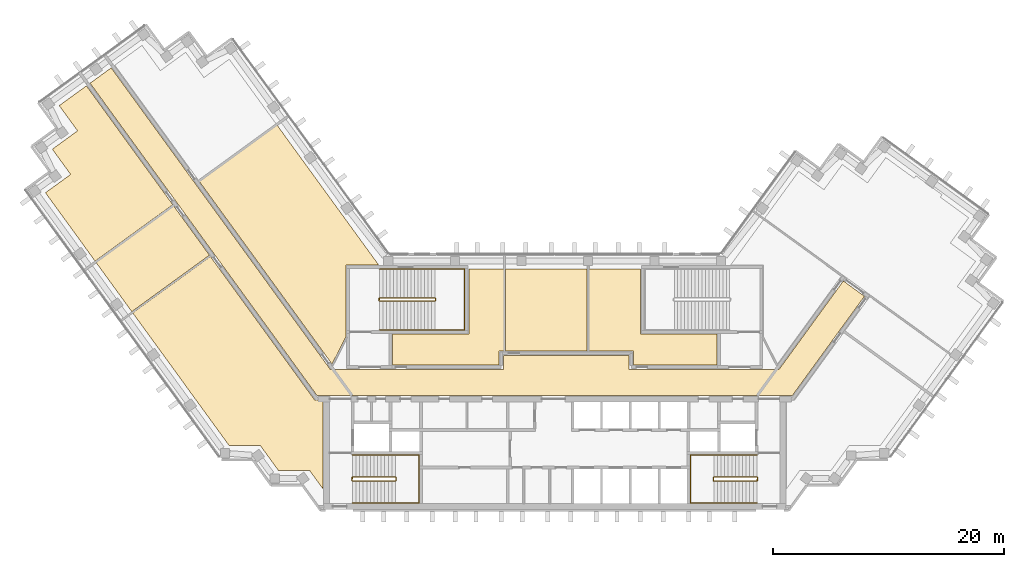
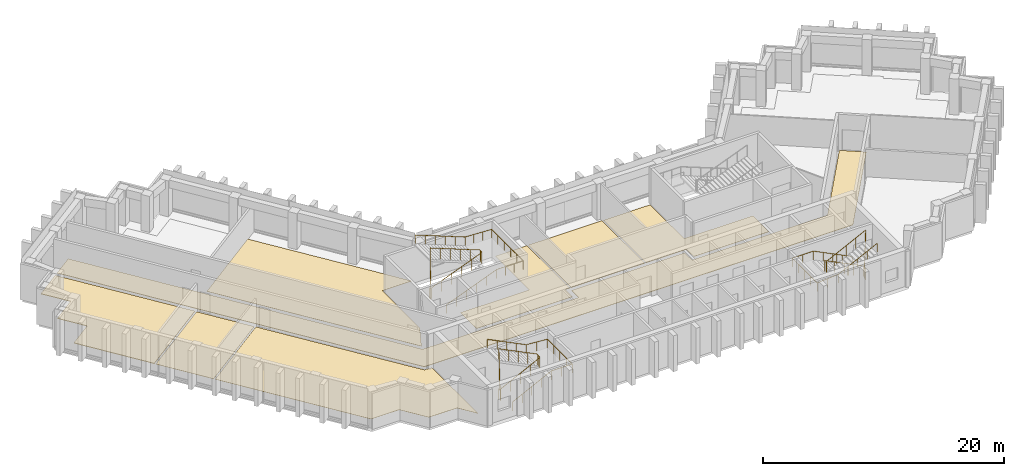
# One storey, part 8 of 9: 8 coverings, 6 railings.
"""IFC4 building model written with IfcOpenShell, lengths in metres."""

from ifc_helpers import new_model, si_unit, direction, frame, origin, origin_2d, place, context, subcontext, project, spatial, polyline, circle, outline, extrude, material, layer, layer_set, type_object, element, save


model = new_model("IFC4")

# Units and contexts
model_context = context("Model", 3, precision=1e-05, world=origin(), true_north=direction((0.0, 1.0)))
body_context = subcontext(model_context, "Body", "Model", "MODEL_VIEW")
ifc_project = project(units=[si_unit("LENGTHUNIT", "METRE"), si_unit("AREAUNIT", "SQUARE_METRE"), si_unit("VOLUMEUNIT", "CUBIC_METRE"), si_unit("PLANEANGLEUNIT", "RADIAN"), si_unit("MASSUNIT", "GRAM", prefix="KILO")], contexts=[model_context])

# Site, building, storey
site_placement = place(None, origin())
site = spatial("IfcSite", under=ifc_project, at=site_placement, CompositionType="ELEMENT")
building_placement = place(site_placement, origin())
building = spatial("IfcBuilding", under=site, at=building_placement, Name="Quipu Civic Tower", CompositionType="ELEMENT")
storey_placement = place(building_placement, frame((0.0, 0.0, 230.0)))
storey = spatial("IfcBuildingStorey", under=building, at=storey_placement, Name="L54", CompositionType="ELEMENT", Elevation=230.0)

# Coverings
ifc_material_1 = material(Name="Carpet tile on raised access floor")
ifc_layer_1 = layer(ifc_material_1, 0.02001953125)
ifc_layer_set_1 = layer_set([ifc_layer_1], Name="Carpet tile on raised access floor")
covering_type_1 = type_object("IfcCoveringType", Name="Carpet tile floor finish 20", PredefinedType="FLOORING", material=ifc_layer_set_1)
covering_1_placement = place(storey_placement, origin())
element("IfcCovering", 1, at=covering_1_placement, inside=storey, type_object=covering_type_1, Name="Carpet tile floor finish 20", PredefinedType="FLOORING", context=body_context, shape_type="SweptSolid", body=[
    extrude(outline(polyline([(-36.52001953125, 6.013916015625), (-29.7958984375, 10.89794921875), (-20.77490234375, -1.51904296875), (-20.070068359375, -1.52001953125), (-20.070068359375, -9.195068359375), (-21.196044921875, -7.64599609375), (-23.89501953125, -7.64599609375), (-25.48193359375, -5.4619140625), (-28.181884765625, -5.4609375), (-36.52001953125, 6.013916015625)])), origin(), (0.0, 0.0, 1.0), 0.02001953125),
])
covering_2_placement = place(storey_placement, origin())
element("IfcCovering", 2, at=covering_2_placement, inside=storey, type_object=covering_type_1, Name="Carpet tile floor finish 20", PredefinedType="FLOORING", context=body_context, shape_type="SweptSolid", body=[
    extrude(outline(polyline([(-14.030029296875, 1.52001953125), (-14.030029296875, 4.179931640625), (-7.430908203125, 4.179931640625), (-7.429931640625, 9.830078125), (-4.388916015625, 9.830078125), (-4.388916015625, 2.719970703125), (-4.820068359375, 2.718994140625), (-4.820068359375, 1.52001953125), (-14.030029296875, 1.52001953125)])), origin(), (0.0, 0.0, 1.0), 0.02001953125),
])
covering_3_placement = place(storey_placement, origin())
element("IfcCovering", 3, at=covering_3_placement, inside=storey, type_object=covering_type_1, Name="Carpet tile floor finish 20", PredefinedType="FLOORING", context=body_context, shape_type="SweptSolid", body=[
    extrude(outline(polyline([(2.948974609375, 2.719970703125), (2.948974609375, 9.830078125), (7.429931640625, 9.830078125), (7.430908203125, 4.179931640625), (14.030029296875, 4.179931640625), (14.030029296875, 1.52001953125), (6.820068359375, 1.52001953125), (6.819091796875, 2.719970703125), (2.948974609375, 2.719970703125)])), origin(), (0.0, 0.0, 1.0), 0.02001953125),
])
covering_4_placement = place(storey_placement, origin())
element("IfcCovering", 4, at=covering_4_placement, inside=storey, type_object=covering_type_1, Name="Carpet tile floor finish 20", PredefinedType="FLOORING", context=body_context, shape_type="SweptSolid", body=[
    extrude(outline(polyline([(-30.751953125, 17.385986328125), (-24.029052734375, 22.26904296875), (-15.238037109375, 10.169921875), (-18.070068359375, 10.1689453125), (-18.070068359375, 3.94189453125), (-19.27197265625, 1.583984375), (-30.751953125, 17.385986328125)])), origin(), (0.0, 0.0, 1.0), 0.02001953125),
])
covering_5_placement = place(storey_placement, origin())
element("IfcCovering", 5, at=covering_5_placement, inside=storey, type_object=covering_type_1, Name="Carpet tile floor finish 20", PredefinedType="FLOORING", context=body_context, shape_type="SweptSolid", body=[
    extrude(outline(polyline([(-39.694091796875, 10.383056640625), (-32.969970703125, 15.26708984375), (-29.87890625, 11.010986328125), (-36.60302734375, 6.126953125), (-39.694091796875, 10.383056640625)])), origin(), (0.0, 0.0, 1.0), 0.02001953125),
])
ifc_material_2 = material(Name="Ceramic floor tile")
ifc_layer_2 = layer(ifc_material_2, 0.030029296875)
ifc_layer_set_2 = layer_set([ifc_layer_2], Name="Ceramic floor tile")
covering_type_2 = type_object("IfcCoveringType", Name="Ceramic tile floor finish 30", PredefinedType="FLOORING", material=ifc_layer_set_2)
covering_6_placement = place(storey_placement, origin())
element("IfcCovering", 6, at=covering_6_placement, inside=storey, type_object=covering_type_2, Name="Ceramic tile floor finish 30", PredefinedType="FLOORING", context=body_context, shape_type="SweptSolid", body=[
    extrude(outline(polyline([(-4.2490234375, 2.719970703125), (-4.2490234375, 9.830078125), (2.80908203125, 9.830078125), (2.80908203125, 2.719970703125), (-4.2490234375, 2.719970703125)])), origin(), (0.0, 0.0, 1.0), 0.030029296875),
])
ifc_material_3 = material(Name="Sealed cement screed")
ifc_layer_3 = layer(ifc_material_3, 0.050048828125)
ifc_layer_set_3 = layer_set([ifc_layer_3], Name="Sealed cement screed")
covering_type_3 = type_object("IfcCoveringType", Name="Sealed screed floor finish 50", PredefinedType="FLOORING", material=ifc_layer_set_3)
covering_7_placement = place(storey_placement, origin())
element("IfcCovering", 7, at=covering_7_placement, inside=storey, type_object=covering_type_3, Name="Sealed screed floor finish 50", PredefinedType="FLOORING", context=body_context, shape_type="SweptSolid", body=[
    extrude(outline(polyline([(-44.074951171875, 16.4140625), (-41.89208984375, 17.9990234375), (-43.47802734375, 20.18505859375), (-41.294921875, 21.77197265625), (-42.881103515625, 23.9560546875), (-40.52587890625, 25.666015625), (-33.052978515625, 15.3798828125), (-39.777099609375, 10.49609375), (-44.074951171875, 16.4140625)])), origin(), (0.0, 0.0, 1.0), 0.050048828125),
])

# Railings
ifc_material_4 = material(Name="Stainless steel", Category="steel")
railing_type_1 = type_object("IfcRailingType", Name="Stair guard 1100", PredefinedType="GUARDRAIL", material=ifc_material_4)
railing_1_placement = place(storey_placement, frame((-17.5, -8.550048828125, 0.15380859375)))
element("IfcRailing", 8, at=railing_1_placement, inside=storey, type_object=railing_type_1, Name="Stair 1 guard", PredefinedType="GUARDRAIL", context=body_context, shape_type="SweptSolid", body=[
    extrude(circle(Radius=0.02392578125, at=origin_2d()), frame((0.0, 0.0, 1.076171875), z_axis=(0.895751851347, 0.0, 0.444554407028), x_axis=(0.0, 1.0, 0.0)), (0.0, 0.0, 1.0), 4.15283203125),
    extrude(circle(Radius=0.02392578125, at=origin_2d()), frame((3.719970703125, 0.0, 2.92236328125), z_axis=(0.707106781187, 0.707106781187, 0.0), x_axis=(-0.707106781187, 0.707106781187, 0.0)), (0.0, 0.0, 1.0), 0.07080078125),
    extrude(circle(Radius=0.02392578125, at=origin_2d()), frame((3.77001953125, 0.050048828125, 2.92236328125), z_axis=(0.0, 1.0, 0.0), x_axis=(-1.0, 0.0, 0.0)), (0.0, 0.0, 1.0), 0.25),
    extrude(circle(Radius=0.02392578125, at=origin_2d()), frame((3.77001953125, 0.300048828125, 2.92236328125), z_axis=(-0.295599637079, 0.295599637079, 0.908428152975), x_axis=(-0.707106781187, -0.707106781187, 0.0)), (0.0, 0.0, 1.0), 0.16943359375),
    extrude(circle(Radius=0.02392578125, at=origin_2d()), frame((3.719970703125, 0.35009765625, 3.076171875), z_axis=(-0.895751851347, 0.0, 0.444554407028), x_axis=(0.0, -1.0, 0.0)), (0.0, 0.0, 1.0), 4.15283203125),
    extrude(circle(Radius=0.02392578125, at=origin_2d()), frame((0.0, 0.35009765625, 4.92236328125), z_axis=(-0.012476181752, -0.074796231092, -0.997120789425), x_axis=(0.986372223864, -0.164529134168, 0.0)), (0.0, 0.0, 1.0), 4.011474609375),
    extrude(circle(Radius=0.02392578125, at=origin_2d()), frame((-0.050048828125, 0.050048828125, 0.92236328125), z_axis=(0.0, 1.0, 0.0), x_axis=(-1.0, 0.0, 0.0)), (0.0, 0.0, 1.0), 0.25),
    extrude(circle(Radius=0.02099609375, at=origin_2d()), origin(), (0.0, 0.0, 1.0), 1.052001953125),
    extrude(circle(Radius=0.02099609375, at=origin_2d()), frame((0.929931640625, 0.0, 0.46142578125)), (0.0, 0.0, 1.0), 1.052001953125),
    extrude(circle(Radius=0.02099609375, at=origin_2d()), frame((1.85986328125, 0.0, 0.923095703125)), (0.0, 0.0, 1.0), 1.052001953125),
    extrude(circle(Radius=0.02099609375, at=origin_2d()), frame((2.7900390625, 0.0, 1.384765625)), (0.0, 0.0, 1.0), 1.052001953125),
    extrude(circle(Radius=0.02099609375, at=origin_2d()), frame((3.719970703125, 0.0, 1.84619140625)), (0.0, 0.0, 1.0), 1.052001953125),
    extrude(circle(Radius=0.02099609375, at=origin_2d()), frame((3.77001953125, 0.050048828125, 1.84619140625)), (0.0, 0.0, 1.0), 1.052001953125),
    extrude(circle(Radius=0.02099609375, at=origin_2d()), frame((3.77001953125, 0.300048828125, 1.84619140625)), (0.0, 0.0, 1.0), 1.052001953125),
    extrude(circle(Radius=0.02099609375, at=origin_2d()), frame((3.719970703125, 0.35009765625, 2.0)), (0.0, 0.0, 1.0), 1.052001953125),
    extrude(circle(Radius=0.02099609375, at=origin_2d()), frame((2.7900390625, 0.35009765625, 2.46142578125)), (0.0, 0.0, 1.0), 1.052001953125),
    extrude(circle(Radius=0.02099609375, at=origin_2d()), frame((1.85986328125, 0.35009765625, 2.923095703125)), (0.0, 0.0, 1.0), 1.052001953125),
    extrude(circle(Radius=0.02099609375, at=origin_2d()), frame((0.929931640625, 0.35009765625, 3.384765625)), (0.0, 0.0, 1.0), 1.052001953125),
    extrude(circle(Radius=0.02099609375, at=origin_2d()), frame((0.0, 0.35009765625, 3.84619140625)), (0.0, 0.0, 1.0), 1.052001953125),
    extrude(circle(Radius=0.02099609375, at=origin_2d()), frame((-0.012451171875, 0.275146484375, 2.84619140625)), (0.0, 0.0, 1.0), 1.052001953125),
    extrude(circle(Radius=0.02099609375, at=origin_2d()), frame((-0.02490234375, 0.2001953125, 1.84619140625)), (0.0, 0.0, 1.0), 1.052001953125),
    extrude(circle(Radius=0.02099609375, at=origin_2d()), frame((-0.03759765625, 0.125, 0.84619140625)), (0.0, 0.0, 1.0), 1.052001953125),
    extrude(circle(Radius=0.02099609375, at=origin_2d()), frame((-0.050048828125, 0.050048828125, -0.15380859375)), (0.0, 0.0, 1.0), 1.052001953125),
    extrude(circle(Radius=0.02099609375, at=origin_2d()), frame((-0.050048828125, 0.300048828125, -0.15380859375)), (0.0, 0.0, 1.0), 1.052001953125),
])
railing_2_placement = place(storey_placement, frame((17.5, -8.199951171875, 0.15380859375)))
element("IfcRailing", 9, at=railing_2_placement, inside=storey, type_object=railing_type_1, Name="Stair 2 guard", PredefinedType="GUARDRAIL", context=body_context, shape_type="SweptSolid", body=[
    extrude(circle(Radius=0.02392578125, at=origin_2d()), frame((0.0, 0.0, 1.076171875), z_axis=(-0.895751851347, 0.0, 0.444554407028), x_axis=(0.0, -1.0, 0.0)), (0.0, 0.0, 1.0), 4.15283203125),
    extrude(circle(Radius=0.02392578125, at=origin_2d()), frame((-3.719970703125, 0.0, 2.92236328125), z_axis=(-0.707106781187, -0.707106781187, 0.0), x_axis=(0.707106781187, -0.707106781187, 0.0)), (0.0, 0.0, 1.0), 0.07080078125),
    extrude(circle(Radius=0.02392578125, at=origin_2d()), frame((-3.77001953125, -0.050048828125, 2.92236328125), z_axis=(0.0, -1.0, 0.0), x_axis=(1.0, 0.0, 0.0)), (0.0, 0.0, 1.0), 0.25),
    extrude(circle(Radius=0.02392578125, at=origin_2d()), frame((-3.77001953125, -0.300048828125, 2.92236328125), z_axis=(0.295599637079, -0.295599637079, 0.908428152975), x_axis=(0.707106781187, 0.707106781187, 0.0)), (0.0, 0.0, 1.0), 0.16943359375),
    extrude(circle(Radius=0.02392578125, at=origin_2d()), frame((-3.719970703125, -0.35009765625, 3.076171875), z_axis=(0.895751851347, 0.0, 0.444554407028), x_axis=(0.0, 1.0, 0.0)), (0.0, 0.0, 1.0), 4.15283203125),
    extrude(circle(Radius=0.02392578125, at=origin_2d()), frame((0.0, -0.35009765625, 4.92236328125), z_axis=(0.012476181752, 0.074796231092, -0.997120789425), x_axis=(-0.986372223864, 0.164529134168, 0.0)), (0.0, 0.0, 1.0), 4.011474609375),
    extrude(circle(Radius=0.02392578125, at=origin_2d()), frame((0.050048828125, -0.050048828125, 0.92236328125), z_axis=(0.0, -1.0, 0.0), x_axis=(1.0, 0.0, 0.0)), (0.0, 0.0, 1.0), 0.25),
    extrude(circle(Radius=0.02099609375, at=origin_2d()), origin(), (0.0, 0.0, 1.0), 1.052001953125),
    extrude(circle(Radius=0.02099609375, at=origin_2d()), frame((-0.929931640625, 0.0, 0.46142578125)), (0.0, 0.0, 1.0), 1.052001953125),
    extrude(circle(Radius=0.02099609375, at=origin_2d()), frame((-1.85986328125, 0.0, 0.923095703125)), (0.0, 0.0, 1.0), 1.052001953125),
    extrude(circle(Radius=0.02099609375, at=origin_2d()), frame((-2.7900390625, 0.0, 1.384765625)), (0.0, 0.0, 1.0), 1.052001953125),
    extrude(circle(Radius=0.02099609375, at=origin_2d()), frame((-3.719970703125, 0.0, 1.84619140625)), (0.0, 0.0, 1.0), 1.052001953125),
    extrude(circle(Radius=0.02099609375, at=origin_2d()), frame((-3.77001953125, -0.050048828125, 1.84619140625)), (0.0, 0.0, 1.0), 1.052001953125),
    extrude(circle(Radius=0.02099609375, at=origin_2d()), frame((-3.77001953125, -0.300048828125, 1.84619140625)), (0.0, 0.0, 1.0), 1.052001953125),
    extrude(circle(Radius=0.02099609375, at=origin_2d()), frame((-3.719970703125, -0.35009765625, 2.0)), (0.0, 0.0, 1.0), 1.052001953125),
    extrude(circle(Radius=0.02099609375, at=origin_2d()), frame((-2.7900390625, -0.35009765625, 2.46142578125)), (0.0, 0.0, 1.0), 1.052001953125),
    extrude(circle(Radius=0.02099609375, at=origin_2d()), frame((-1.85986328125, -0.35009765625, 2.923095703125)), (0.0, 0.0, 1.0), 1.052001953125),
    extrude(circle(Radius=0.02099609375, at=origin_2d()), frame((-0.929931640625, -0.35009765625, 3.384765625)), (0.0, 0.0, 1.0), 1.052001953125),
    extrude(circle(Radius=0.02099609375, at=origin_2d()), frame((0.0, -0.35009765625, 3.84619140625)), (0.0, 0.0, 1.0), 1.052001953125),
    extrude(circle(Radius=0.02099609375, at=origin_2d()), frame((0.012451171875, -0.275146484375, 2.84619140625)), (0.0, 0.0, 1.0), 1.052001953125),
    extrude(circle(Radius=0.02099609375, at=origin_2d()), frame((0.02490234375, -0.2001953125, 1.84619140625)), (0.0, 0.0, 1.0), 1.052001953125),
    extrude(circle(Radius=0.02099609375, at=origin_2d()), frame((0.03759765625, -0.125, 0.84619140625)), (0.0, 0.0, 1.0), 1.052001953125),
    extrude(circle(Radius=0.02099609375, at=origin_2d()), frame((0.050048828125, -0.050048828125, -0.15380859375)), (0.0, 0.0, 1.0), 1.052001953125),
    extrude(circle(Radius=0.02099609375, at=origin_2d()), frame((0.050048828125, -0.300048828125, -0.15380859375)), (0.0, 0.0, 1.0), 1.052001953125),
])
railing_3_placement = place(storey_placement, frame((-15.14990234375, 7.050048828125, 0.11767578125)))
element("IfcRailing", 10, at=railing_3_placement, inside=storey, type_object=railing_type_1, Name="Stair 3 guard", PredefinedType="GUARDRAIL", context=body_context, shape_type="SweptSolid", body=[
    extrude(circle(Radius=0.02392578125, at=origin_2d()), frame((0.0, 0.0, 1.076171875), z_axis=(0.930970042603, 0.0, 0.365095576219), x_axis=(0.0, 1.0, 0.0)), (0.0, 0.0, 1.0), 5.15576171875),
    extrude(circle(Radius=0.02392578125, at=origin_2d()), frame((4.7998046875, 0.0, 2.95849609375), z_axis=(0.707106781187, 0.707106781187, 0.0), x_axis=(-0.707106781187, 0.707106781187, 0.0)), (0.0, 0.0, 1.0), 0.07080078125),
    extrude(circle(Radius=0.02392578125, at=origin_2d()), frame((4.849853515625, 0.050048828125, 2.95849609375), z_axis=(0.0, 1.0, 0.0), x_axis=(-1.0, 0.0, 0.0)), (0.0, 0.0, 1.0), 0.14990234375),
    extrude(circle(Radius=0.02392578125, at=origin_2d()), frame((4.849853515625, 0.199951171875, 2.95849609375), z_axis=(-0.364463019033, 0.364463019033, 0.856932561824), x_axis=(-0.707106781187, -0.707106781187, 0.0)), (0.0, 0.0, 1.0), 0.13720703125),
    extrude(circle(Radius=0.02392578125, at=origin_2d()), frame((4.7998046875, 0.25, 3.076171875), z_axis=(-0.930970042603, 0.0, 0.365095576219), x_axis=(0.0, -1.0, 0.0)), (0.0, 0.0, 1.0), 5.15576171875),
    extrude(circle(Radius=0.02392578125, at=origin_2d()), frame((0.0, 0.25, 4.95849609375), z_axis=(-0.012495627992, -0.049921557685, -0.998674970829), x_axis=(0.970072785993, -0.242814311512, 0.0)), (0.0, 0.0, 1.0), 4.00537109375),
    extrude(circle(Radius=0.02392578125, at=origin_2d()), frame((-0.050048828125, 0.050048828125, 0.95849609375), z_axis=(0.0, 1.0, 0.0), x_axis=(-1.0, 0.0, 0.0)), (0.0, 0.0, 1.0), 0.14990234375),
    extrude(circle(Radius=0.02099609375, at=origin_2d()), origin(), (0.0, 0.0, 1.0), 1.052001953125),
    extrude(circle(Radius=0.02099609375, at=origin_2d()), frame((0.9599609375, 0.0, 0.37646484375)), (0.0, 0.0, 1.0), 1.052001953125),
    extrude(circle(Radius=0.02099609375, at=origin_2d()), frame((1.919921875, 0.0, 0.7529296875)), (0.0, 0.0, 1.0), 1.052001953125),
    extrude(circle(Radius=0.02099609375, at=origin_2d()), frame((2.8798828125, 0.0, 1.12939453125)), (0.0, 0.0, 1.0), 1.052001953125),
    extrude(circle(Radius=0.02099609375, at=origin_2d()), frame((3.83984375, 0.0, 1.505859375)), (0.0, 0.0, 1.0), 1.052001953125),
    extrude(circle(Radius=0.02099609375, at=origin_2d()), frame((4.7998046875, 0.0, 1.88232421875)), (0.0, 0.0, 1.0), 1.052001953125),
    extrude(circle(Radius=0.02099609375, at=origin_2d()), frame((4.849853515625, 0.050048828125, 1.88232421875)), (0.0, 0.0, 1.0), 1.052001953125),
    extrude(circle(Radius=0.02099609375, at=origin_2d()), frame((4.849853515625, 0.199951171875, 1.88232421875)), (0.0, 0.0, 1.0), 1.052001953125),
    extrude(circle(Radius=0.02099609375, at=origin_2d()), frame((4.7998046875, 0.25, 2.0)), (0.0, 0.0, 1.0), 1.052001953125),
    extrude(circle(Radius=0.02099609375, at=origin_2d()), frame((3.83984375, 0.25, 2.37646484375)), (0.0, 0.0, 1.0), 1.052001953125),
    extrude(circle(Radius=0.02099609375, at=origin_2d()), frame((2.8798828125, 0.25, 2.7529296875)), (0.0, 0.0, 1.0), 1.052001953125),
    extrude(circle(Radius=0.02099609375, at=origin_2d()), frame((1.919921875, 0.25, 3.12939453125)), (0.0, 0.0, 1.0), 1.052001953125),
    extrude(circle(Radius=0.02099609375, at=origin_2d()), frame((0.9599609375, 0.25, 3.505859375)), (0.0, 0.0, 1.0), 1.052001953125),
    extrude(circle(Radius=0.02099609375, at=origin_2d()), frame((0.0, 0.25, 3.88232421875)), (0.0, 0.0, 1.0), 1.052001953125),
    extrude(circle(Radius=0.02099609375, at=origin_2d()), frame((-0.012451171875, 0.199951171875, 2.88232421875)), (0.0, 0.0, 1.0), 1.052001953125),
    extrude(circle(Radius=0.02099609375, at=origin_2d()), frame((-0.02490234375, 0.14990234375, 1.88232421875)), (0.0, 0.0, 1.0), 1.052001953125),
    extrude(circle(Radius=0.02099609375, at=origin_2d()), frame((-0.03759765625, 0.10009765625, 0.88232421875)), (0.0, 0.0, 1.0), 1.052001953125),
    extrude(circle(Radius=0.02099609375, at=origin_2d()), frame((-0.050048828125, 0.050048828125, -0.11767578125)), (0.0, 0.0, 1.0), 1.052001953125),
    extrude(circle(Radius=0.02099609375, at=origin_2d()), frame((-0.050048828125, 0.199951171875, -0.11767578125)), (0.0, 0.0, 1.0), 1.052001953125),
])
ifc_material_5 = material(Name="Stainless steel", Category="steel")
railing_type_2 = type_object("IfcRailingType", Name="Stair handrail", PredefinedType="HANDRAIL", material=ifc_material_5)
railing_4_placement = place(storey_placement, frame((-17.5, -10.449951171875, 0.15380859375)))
element("IfcRailing", 11, at=railing_4_placement, inside=storey, type_object=railing_type_2, Name="Stair 1 handrail", PredefinedType="HANDRAIL", context=body_context, shape_type="SweptSolid", body=[
    extrude(circle(Radius=0.02392578125, at=origin_2d()), frame((0.0, 0.0, 0.8759765625), z_axis=(0.895751851347, 0.0, 0.444554407028), x_axis=(0.0, 1.0, 0.0)), (0.0, 0.0, 1.0), 4.15283203125),
    extrude(circle(Radius=0.02392578125, at=origin_2d()), frame((3.719970703125, 0.0, 2.72216796875), z_axis=(1.0, 0.0, 0.0), x_axis=(0.0, 1.0, 0.0)), (0.0, 0.0, 1.0), 2.030029296875),
    extrude(circle(Radius=0.02392578125, at=origin_2d()), frame((5.75, 0.0, 2.72216796875), z_axis=(0.0, 1.0, 0.0), x_axis=(-1.0, 0.0, 0.0)), (0.0, 0.0, 1.0), 4.14990234375),
    extrude(circle(Radius=0.02392578125, at=origin_2d()), frame((5.75, 4.14990234375, 2.72216796875), z_axis=(-0.997142003663, 0.0, 0.075550145798), x_axis=(0.0, -1.0, 0.0)), (0.0, 0.0, 1.0), 2.035888671875),
    extrude(circle(Radius=0.02392578125, at=origin_2d()), frame((3.719970703125, 4.14990234375, 2.8759765625), z_axis=(-0.895751851347, 0.0, 0.444554407028), x_axis=(0.0, -1.0, 0.0)), (0.0, 0.0, 1.0), 4.15283203125),
    extrude(circle(Radius=0.02099609375, at=origin_2d()), origin(), (0.0, 0.0, 1.0), 0.851806640625),
    extrude(circle(Radius=0.02099609375, at=origin_2d()), frame((0.929931640625, 0.0, 0.46142578125)), (0.0, 0.0, 1.0), 0.851806640625),
    extrude(circle(Radius=0.02099609375, at=origin_2d()), frame((1.85986328125, 0.0, 0.923095703125)), (0.0, 0.0, 1.0), 0.851806640625),
    extrude(circle(Radius=0.02099609375, at=origin_2d()), frame((2.7900390625, 0.0, 1.384765625)), (0.0, 0.0, 1.0), 0.851806640625),
    extrude(circle(Radius=0.02099609375, at=origin_2d()), frame((3.719970703125, 0.0, 1.84619140625)), (0.0, 0.0, 1.0), 0.851806640625),
    extrude(circle(Radius=0.02099609375, at=origin_2d()), frame((4.73486328125, 0.0, 1.84619140625)), (0.0, 0.0, 1.0), 0.851806640625),
    extrude(circle(Radius=0.02099609375, at=origin_2d()), frame((5.75, 0.0, 1.84619140625)), (0.0, 0.0, 1.0), 0.851806640625),
    extrude(circle(Radius=0.02099609375, at=origin_2d()), frame((5.75, 1.03759765625, 1.84619140625)), (0.0, 0.0, 1.0), 0.851806640625),
    extrude(circle(Radius=0.02099609375, at=origin_2d()), frame((5.75, 2.074951171875, 1.84619140625)), (0.0, 0.0, 1.0), 0.851806640625),
    extrude(circle(Radius=0.02099609375, at=origin_2d()), frame((5.75, 3.1123046875, 1.84619140625)), (0.0, 0.0, 1.0), 0.851806640625),
    extrude(circle(Radius=0.02099609375, at=origin_2d()), frame((5.75, 4.14990234375, 1.84619140625)), (0.0, 0.0, 1.0), 0.851806640625),
    extrude(circle(Radius=0.02099609375, at=origin_2d()), frame((4.73486328125, 4.14990234375, 1.923095703125)), (0.0, 0.0, 1.0), 0.851806640625),
    extrude(circle(Radius=0.02099609375, at=origin_2d()), frame((3.719970703125, 4.14990234375, 2.0)), (0.0, 0.0, 1.0), 0.851806640625),
    extrude(circle(Radius=0.02099609375, at=origin_2d()), frame((2.7900390625, 4.14990234375, 2.46142578125)), (0.0, 0.0, 1.0), 0.851806640625),
    extrude(circle(Radius=0.02099609375, at=origin_2d()), frame((1.85986328125, 4.14990234375, 2.923095703125)), (0.0, 0.0, 1.0), 0.851806640625),
    extrude(circle(Radius=0.02099609375, at=origin_2d()), frame((0.929931640625, 4.14990234375, 3.384765625)), (0.0, 0.0, 1.0), 0.851806640625),
    extrude(circle(Radius=0.02099609375, at=origin_2d()), frame((0.0, 4.14990234375, 3.84619140625)), (0.0, 0.0, 1.0), 0.851806640625),
])
railing_5_placement = place(storey_placement, frame((17.5, -6.300048828125, 0.15380859375)))
element("IfcRailing", 12, at=railing_5_placement, inside=storey, type_object=railing_type_2, Name="Stair 2 handrail", PredefinedType="HANDRAIL", context=body_context, shape_type="SweptSolid", body=[
    extrude(circle(Radius=0.02392578125, at=origin_2d()), frame((0.0, 0.0, 0.8759765625), z_axis=(-0.895751851347, 0.0, 0.444554407028), x_axis=(0.0, -1.0, 0.0)), (0.0, 0.0, 1.0), 4.15283203125),
    extrude(circle(Radius=0.02392578125, at=origin_2d()), frame((-3.719970703125, 0.0, 2.72216796875), z_axis=(-1.0, 0.0, 0.0), x_axis=(0.0, -1.0, 0.0)), (0.0, 0.0, 1.0), 2.030029296875),
    extrude(circle(Radius=0.02392578125, at=origin_2d()), frame((-5.75, 0.0, 2.72216796875), z_axis=(0.0, -1.0, 0.0), x_axis=(1.0, 0.0, 0.0)), (0.0, 0.0, 1.0), 4.14990234375),
    extrude(circle(Radius=0.02392578125, at=origin_2d()), frame((-5.75, -4.14990234375, 2.72216796875), z_axis=(0.997142003663, 0.0, 0.075550145798), x_axis=(0.0, 1.0, 0.0)), (0.0, 0.0, 1.0), 2.035888671875),
    extrude(circle(Radius=0.02392578125, at=origin_2d()), frame((-3.719970703125, -4.14990234375, 2.8759765625), z_axis=(0.895751851347, 0.0, 0.444554407028), x_axis=(0.0, 1.0, 0.0)), (0.0, 0.0, 1.0), 4.15283203125),
    extrude(circle(Radius=0.02099609375, at=origin_2d()), origin(), (0.0, 0.0, 1.0), 0.851806640625),
    extrude(circle(Radius=0.02099609375, at=origin_2d()), frame((-0.929931640625, 0.0, 0.46142578125)), (0.0, 0.0, 1.0), 0.851806640625),
    extrude(circle(Radius=0.02099609375, at=origin_2d()), frame((-1.85986328125, 0.0, 0.923095703125)), (0.0, 0.0, 1.0), 0.851806640625),
    extrude(circle(Radius=0.02099609375, at=origin_2d()), frame((-2.7900390625, 0.0, 1.384765625)), (0.0, 0.0, 1.0), 0.851806640625),
    extrude(circle(Radius=0.02099609375, at=origin_2d()), frame((-3.719970703125, 0.0, 1.84619140625)), (0.0, 0.0, 1.0), 0.851806640625),
    extrude(circle(Radius=0.02099609375, at=origin_2d()), frame((-4.73486328125, 0.0, 1.84619140625)), (0.0, 0.0, 1.0), 0.851806640625),
    extrude(circle(Radius=0.02099609375, at=origin_2d()), frame((-5.75, 0.0, 1.84619140625)), (0.0, 0.0, 1.0), 0.851806640625),
    extrude(circle(Radius=0.02099609375, at=origin_2d()), frame((-5.75, -1.03759765625, 1.84619140625)), (0.0, 0.0, 1.0), 0.851806640625),
    extrude(circle(Radius=0.02099609375, at=origin_2d()), frame((-5.75, -2.074951171875, 1.84619140625)), (0.0, 0.0, 1.0), 0.851806640625),
    extrude(circle(Radius=0.02099609375, at=origin_2d()), frame((-5.75, -3.1123046875, 1.84619140625)), (0.0, 0.0, 1.0), 0.851806640625),
    extrude(circle(Radius=0.02099609375, at=origin_2d()), frame((-5.75, -4.14990234375, 1.84619140625)), (0.0, 0.0, 1.0), 0.851806640625),
    extrude(circle(Radius=0.02099609375, at=origin_2d()), frame((-4.73486328125, -4.14990234375, 1.923095703125)), (0.0, 0.0, 1.0), 0.851806640625),
    extrude(circle(Radius=0.02099609375, at=origin_2d()), frame((-3.719970703125, -4.14990234375, 2.0)), (0.0, 0.0, 1.0), 0.851806640625),
    extrude(circle(Radius=0.02099609375, at=origin_2d()), frame((-2.7900390625, -4.14990234375, 2.46142578125)), (0.0, 0.0, 1.0), 0.851806640625),
    extrude(circle(Radius=0.02099609375, at=origin_2d()), frame((-1.85986328125, -4.14990234375, 2.923095703125)), (0.0, 0.0, 1.0), 0.851806640625),
    extrude(circle(Radius=0.02099609375, at=origin_2d()), frame((-0.929931640625, -4.14990234375, 3.384765625)), (0.0, 0.0, 1.0), 0.851806640625),
    extrude(circle(Radius=0.02099609375, at=origin_2d()), frame((0.0, -4.14990234375, 3.84619140625)), (0.0, 0.0, 1.0), 0.851806640625),
])
railing_6_placement = place(storey_placement, frame((-15.14990234375, 4.550048828125, 0.11767578125)))
element("IfcRailing", 13, at=railing_6_placement, inside=storey, type_object=railing_type_2, Name="Stair 3 handrail", PredefinedType="HANDRAIL", context=body_context, shape_type="SweptSolid", body=[
    extrude(circle(Radius=0.02392578125, at=origin_2d()), frame((0.0, 0.0, 0.8759765625), z_axis=(0.930970042603, 0.0, 0.365095576219), x_axis=(0.0, 1.0, 0.0)), (0.0, 0.0, 1.0), 5.15576171875),
    extrude(circle(Radius=0.02392578125, at=origin_2d()), frame((4.7998046875, 0.0, 2.75830078125), z_axis=(1.0, 0.0, 0.0), x_axis=(0.0, 1.0, 0.0)), (0.0, 0.0, 1.0), 2.550048828125),
    extrude(circle(Radius=0.02392578125, at=origin_2d()), frame((7.349853515625, 0.0, 2.75830078125), z_axis=(0.0, 1.0, 0.0), x_axis=(-1.0, 0.0, 0.0)), (0.0, 0.0, 1.0), 5.25),
    extrude(circle(Radius=0.02392578125, at=origin_2d()), frame((7.349853515625, 5.25, 2.75830078125), z_axis=(-0.998936948642, 0.0, 0.04609742549), x_axis=(0.0, -1.0, 0.0)), (0.0, 0.0, 1.0), 2.552734375),
    extrude(circle(Radius=0.02392578125, at=origin_2d()), frame((4.7998046875, 5.25, 2.8759765625), z_axis=(-0.930970042603, 0.0, 0.365095576219), x_axis=(0.0, -1.0, 0.0)), (0.0, 0.0, 1.0), 5.15576171875),
    extrude(circle(Radius=0.02099609375, at=origin_2d()), origin(), (0.0, 0.0, 1.0), 0.851806640625),
    extrude(circle(Radius=0.02099609375, at=origin_2d()), frame((0.9599609375, 0.0, 0.37646484375)), (0.0, 0.0, 1.0), 0.851806640625),
    extrude(circle(Radius=0.02099609375, at=origin_2d()), frame((1.919921875, 0.0, 0.7529296875)), (0.0, 0.0, 1.0), 0.851806640625),
    extrude(circle(Radius=0.02099609375, at=origin_2d()), frame((2.8798828125, 0.0, 1.12939453125)), (0.0, 0.0, 1.0), 0.851806640625),
    extrude(circle(Radius=0.02099609375, at=origin_2d()), frame((3.83984375, 0.0, 1.505859375)), (0.0, 0.0, 1.0), 0.851806640625),
    extrude(circle(Radius=0.02099609375, at=origin_2d()), frame((4.7998046875, 0.0, 1.88232421875)), (0.0, 0.0, 1.0), 0.851806640625),
    extrude(circle(Radius=0.02099609375, at=origin_2d()), frame((5.64990234375, 0.0, 1.88232421875)), (0.0, 0.0, 1.0), 0.851806640625),
    extrude(circle(Radius=0.02099609375, at=origin_2d()), frame((6.499755859375, 0.0, 1.88232421875)), (0.0, 0.0, 1.0), 0.851806640625),
    extrude(circle(Radius=0.02099609375, at=origin_2d()), frame((7.349853515625, 0.0, 1.88232421875)), (0.0, 0.0, 1.0), 0.851806640625),
    extrude(circle(Radius=0.02099609375, at=origin_2d()), frame((7.349853515625, 1.050048828125, 1.88232421875)), (0.0, 0.0, 1.0), 0.851806640625),
    extrude(circle(Radius=0.02099609375, at=origin_2d()), frame((7.349853515625, 2.10009765625, 1.88232421875)), (0.0, 0.0, 1.0), 0.851806640625),
    extrude(circle(Radius=0.02099609375, at=origin_2d()), frame((7.349853515625, 3.14990234375, 1.88232421875)), (0.0, 0.0, 1.0), 0.851806640625),
    extrude(circle(Radius=0.02099609375, at=origin_2d()), frame((7.349853515625, 4.199951171875, 1.88232421875)), (0.0, 0.0, 1.0), 0.851806640625),
    extrude(circle(Radius=0.02099609375, at=origin_2d()), frame((7.349853515625, 5.25, 1.88232421875)), (0.0, 0.0, 1.0), 0.851806640625),
    extrude(circle(Radius=0.02099609375, at=origin_2d()), frame((6.499755859375, 5.25, 1.921630859375)), (0.0, 0.0, 1.0), 0.851806640625),
    extrude(circle(Radius=0.02099609375, at=origin_2d()), frame((5.64990234375, 5.25, 1.960693359375)), (0.0, 0.0, 1.0), 0.851806640625),
    extrude(circle(Radius=0.02099609375, at=origin_2d()), frame((4.7998046875, 5.25, 2.0)), (0.0, 0.0, 1.0), 0.851806640625),
    extrude(circle(Radius=0.02099609375, at=origin_2d()), frame((3.83984375, 5.25, 2.37646484375)), (0.0, 0.0, 1.0), 0.851806640625),
    extrude(circle(Radius=0.02099609375, at=origin_2d()), frame((2.8798828125, 5.25, 2.7529296875)), (0.0, 0.0, 1.0), 0.851806640625),
    extrude(circle(Radius=0.02099609375, at=origin_2d()), frame((1.919921875, 5.25, 3.12939453125)), (0.0, 0.0, 1.0), 0.851806640625),
    extrude(circle(Radius=0.02099609375, at=origin_2d()), frame((0.9599609375, 5.25, 3.505859375)), (0.0, 0.0, 1.0), 0.851806640625),
    extrude(circle(Radius=0.02099609375, at=origin_2d()), frame((0.0, 5.25, 3.88232421875)), (0.0, 0.0, 1.0), 0.851806640625),
])

# Covering
ifc_material_6 = material(Name="Terrazzo floor finish")
ifc_layer_4 = layer(ifc_material_6, 0.0400390625)
ifc_layer_set_4 = layer_set([ifc_layer_4], Name="Terrazzo floor finish")
covering_type_4 = type_object("IfcCoveringType", Name="Terrazzo floor finish 40", PredefinedType="FLOORING", material=ifc_layer_set_4)
covering_8_placement = place(storey_placement, origin())
element("IfcCovering", 14, at=covering_8_placement, inside=storey, type_object=covering_type_4, Name="Terrazzo floor finish 40", PredefinedType="FLOORING", context=body_context, shape_type="SweptSolid", body=[
    extrude(outline(polyline([(6.429931640625, 1.1298828125), (19.425048828125, 1.1298828125), (24.98095703125, 8.778076171875), (26.80908203125, 7.450927734375), (20.574951171875, -1.1298828125), (-20.574951171875, -1.1298828125), (-40.2109375, 25.89599609375), (-38.382080078125, 27.22412109375), (-19.425048828125, 1.1298828125), (-4.429931640625, 1.1298828125), (-4.429931640625, 2.330078125), (6.429931640625, 2.330078125), (6.429931640625, 1.1298828125)])), origin(), (0.0, 0.0, 1.0), 0.0400390625),
])

save(model, "model.ifc")
